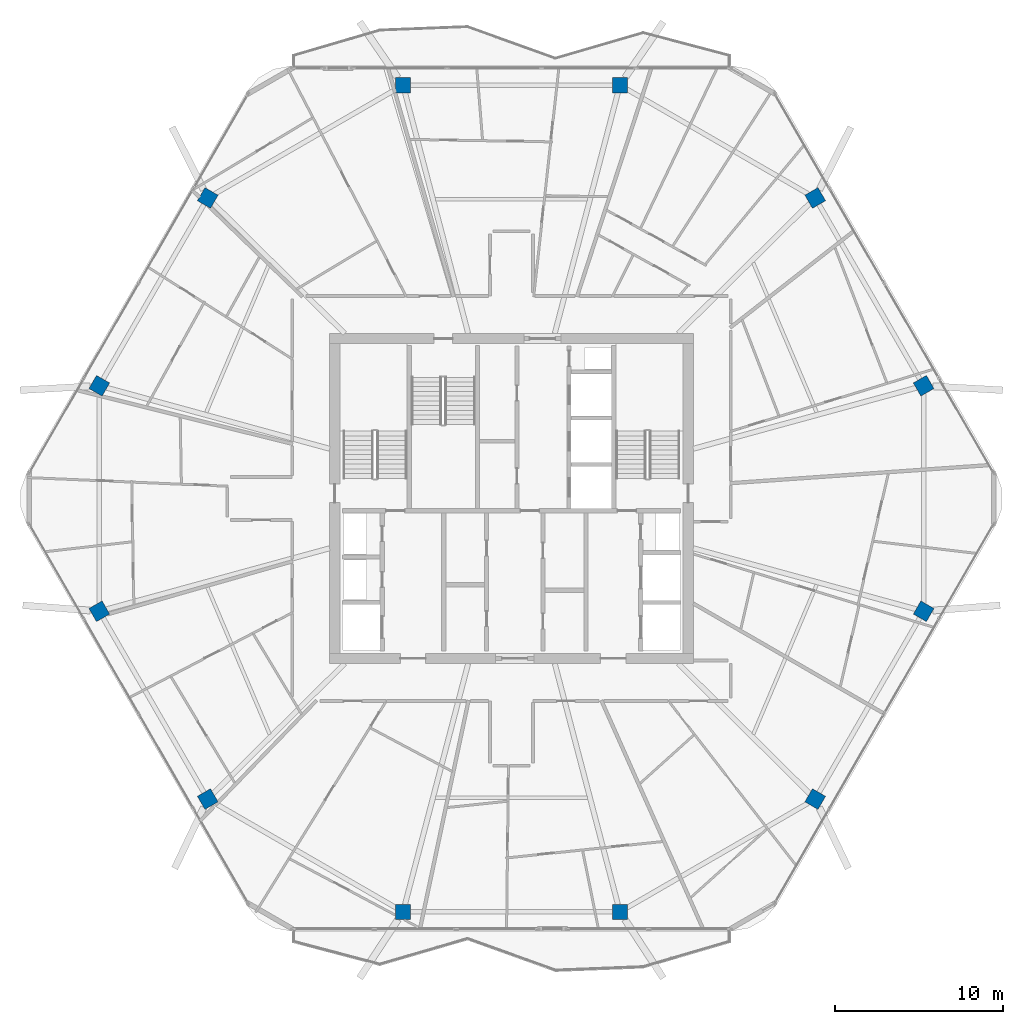
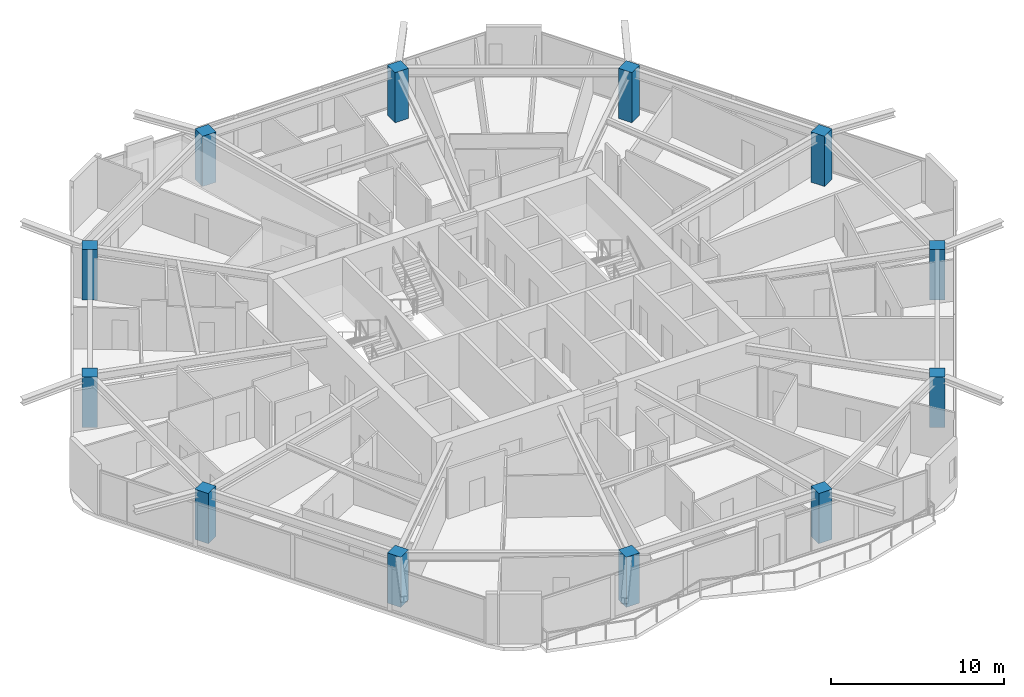
# One storey, part 1 of 26: 12 columns.
"""IFC4 building model written with IfcOpenShell, lengths in metres."""

from ifc_helpers import new_model, si_unit, direction, frame, origin, origin_2d, place, context, subcontext, project, spatial, rectangle, extrude, material, material_profile, profile_set, type_object, element, save


model = new_model("IFC4")

# Units and contexts
model_context = context("Model", 3, precision=1e-05, world=origin(), true_north=direction((0.0, 1.0)))
body_context = subcontext(model_context, "Body", "Model", "MODEL_VIEW")
ifc_project = project(units=[si_unit("LENGTHUNIT", "METRE"), si_unit("AREAUNIT", "SQUARE_METRE"), si_unit("VOLUMEUNIT", "CUBIC_METRE"), si_unit("PLANEANGLEUNIT", "RADIAN"), si_unit("MASSUNIT", "GRAM", prefix="KILO")], contexts=[model_context])

# Site, building, storey
site_placement = place(None, origin())
site = spatial("IfcSite", under=ifc_project, at=site_placement, CompositionType="ELEMENT")
building_placement = place(site_placement, origin())
building = spatial("IfcBuilding", under=site, at=building_placement, Name="Zuhravey Tower", CompositionType="ELEMENT")
storey_placement = place(building_placement, frame((0.0, 0.0, 242.60009765625)))
storey = spatial("IfcBuildingStorey", under=building, at=storey_placement, Name="L61", CompositionType="ELEMENT", Elevation=242.60009765625)

# Columns
ifc_material = material(Name="Concrete C50/60", Category="concrete")
ifc_material_profile = material_profile(ifc_material, rectangle(XDim=0.89990234375, YDim=0.89990234375, at=origin_2d()), Name="RC-900x900")
ifc_profile_set = profile_set([ifc_material_profile], Name="Concrete C50/60")
column_type = type_object("IfcColumnType", Name="Zone 3 Perimeter Column 900x900", PredefinedType="COLUMN", material=ifc_profile_set)
for number, where, z_axis, x_axis, name in (
    (1, (60.484619140625, 38.698974609375, 0.0), (0.0, 0.0, 1.0), (-0.5, 0.866025403784, 0.0), "L61 Perimeter Column PC01"),
    (2, (54.043701171875, 49.854736328125, 0.0), (0.0, 0.0, 1.0), (-0.5, 0.866025403784, 0.0), "L61 Perimeter Column PC02"),
    (3, (42.44091796875, 56.5537109375, 0.0), (0.0, 0.0, 1.0), (-1.0, 0.0, 0.0), "L61 Perimeter Column PC03"),
    (4, (29.55908203125, 56.5537109375, 0.0), (0.0, 0.0, 1.0), (-1.0, 0.0, 0.0), "L61 Perimeter Column PC04"),
    (5, (17.956298828125, 49.854736328125, 0.0), (0.0, 0.0, 1.0), (-0.5, -0.866025403784, 0.0), "L61 Perimeter Column PC05"),
    (6, (11.515380859375, 38.698974609375, 0.0), (0.0, 0.0, 1.0), (-0.5, -0.866025403784, 0.0), "L61 Perimeter Column PC06"),
    (7, (11.515380859375, 25.301025390625, 0.0), (0.0, 0.0, 1.0), (0.5, -0.866025403784, 0.0), "L61 Perimeter Column PC07"),
    (8, (17.956298828125, 14.145263671875, 0.0), (0.0, 0.0, 1.0), (0.5, -0.866025403784, 0.0), "L61 Perimeter Column PC08"),
    (9, (29.55908203125, 7.4462890625, 0.0), (0.0, 0.0, 1.0), (1.0, 0.0, 0.0), "L61 Perimeter Column PC09"),
    (10, (42.44091796875, 7.4462890625, 0.0), (0.0, 0.0, 1.0), (1.0, 0.0, 0.0), "L61 Perimeter Column PC10"),
    (11, (54.043701171875, 14.145263671875, 0.0), (0.0, 0.0, 1.0), (0.5, 0.866025403784, 0.0), "L61 Perimeter Column PC11"),
    (12, (60.484619140625, 25.301025390625, 0.0), (0.0, 0.0, 1.0), (0.5, 0.866025403784, 0.0), "L61 Perimeter Column PC12"),
):
    element("IfcColumn", number, at=place(storey_placement, frame(where, z_axis=z_axis, x_axis=x_axis)), inside=storey, type_object=column_type, Name=name, PredefinedType="COLUMN", context=body_context, shape_type="SweptSolid", body=[
        extrude(rectangle(XDim=0.89990234375, YDim=0.89990234375, at=origin_2d()), origin(), (0.0, 0.0, 1.0), 3.5498046875),
    ])

save(model, "model.ifc")
